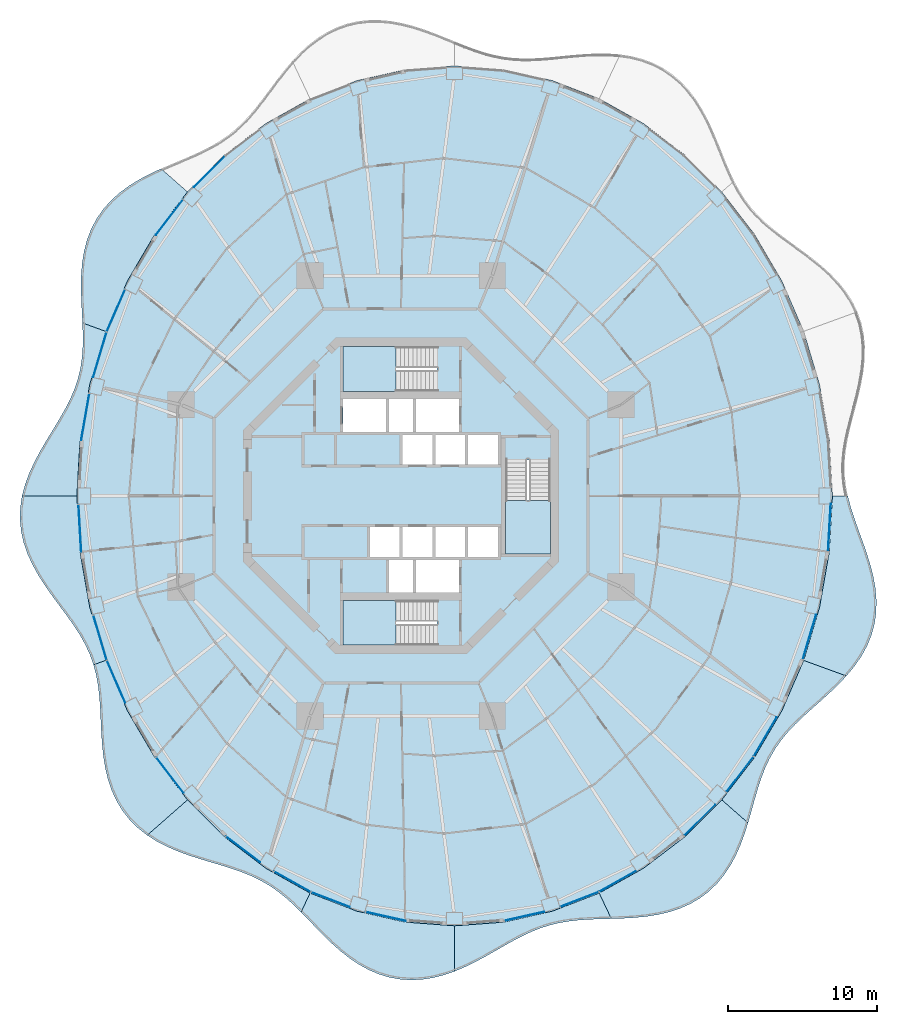
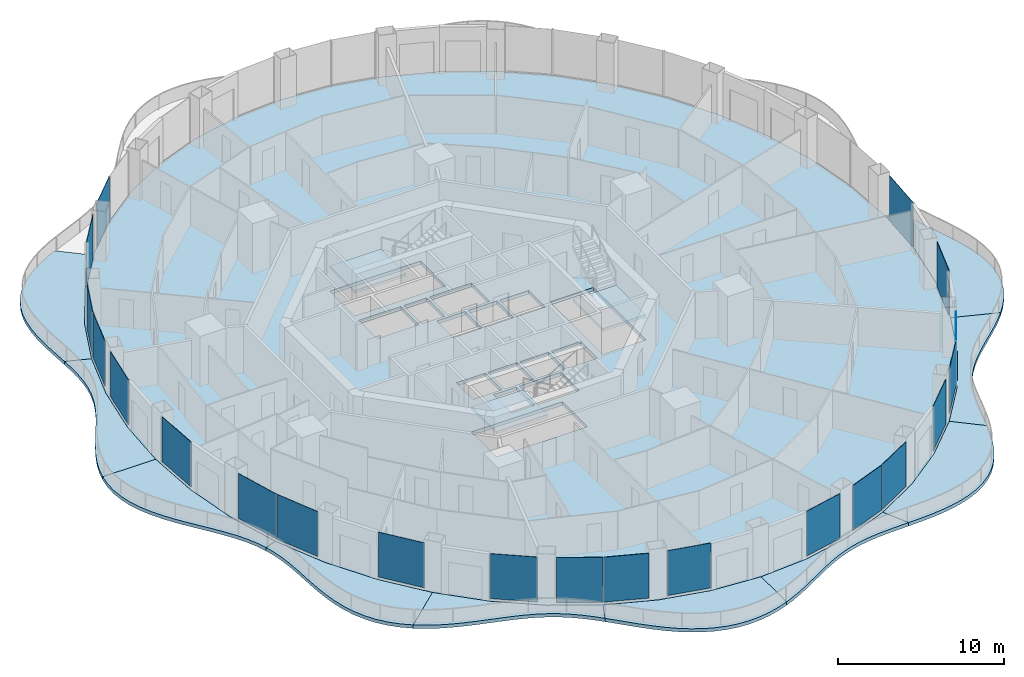
# One storey, part 9 of 19: 21 plates, 14 slabs, 24 elements without a shape of their own.
"""IFC4 building model written with IfcOpenShell, lengths in metres."""

from ifc_helpers import new_model, si_unit, direction, frame, origin, origin_2d, place, context, subcontext, project, spatial, polyline, rectangle, outline, extrude, material, layer, layer_set, type_object, element, aggregate, save


model = new_model("IFC4")

# Units and contexts
model_context = context("Model", 3, precision=1e-05, world=origin(), true_north=direction((0.0, 1.0)))
body_context = subcontext(model_context, "Body", "Model", "MODEL_VIEW")
ifc_project = project(units=[si_unit("LENGTHUNIT", "METRE"), si_unit("AREAUNIT", "SQUARE_METRE"), si_unit("VOLUMEUNIT", "CUBIC_METRE"), si_unit("PLANEANGLEUNIT", "RADIAN"), si_unit("MASSUNIT", "GRAM", prefix="KILO")], contexts=[model_context])

# Site, building, storey
site_placement = place(None, origin())
site = spatial("IfcSite", under=ifc_project, at=site_placement, CompositionType="ELEMENT")
building_placement = place(site_placement, origin())
building = spatial("IfcBuilding", under=site, at=building_placement, Name="Nagisa Residences", CompositionType="ELEMENT")
storey_placement = place(building_placement, frame((0.0, 0.0, 173.300048828125)))
storey = spatial("IfcBuildingStorey", under=building, at=storey_placement, Name="L43", CompositionType="ELEMENT", Elevation=173.300048828125)

# Slabs
ifc_material_1 = material(Name="Concrete C40/50", Category="concrete")
ifc_layer_1 = layer(ifc_material_1, 0.25)
ifc_layer_set_1 = layer_set([ifc_layer_1], Name="BALCONY SLAB 250")
slab_type_1 = type_object("IfcSlabType", Name="BALCONY SLAB 250", PredefinedType="FLOOR", material=ifc_layer_set_1)
slab_1_placement = place(storey_placement, frame((0.0, 0.0, -0.25)))
element("IfcSlab", 1, at=slab_1_placement, inside=storey, type_object=slab_type_1, Name="slab:L43:bal06", PredefinedType="FLOOR", context=body_context, shape_type="SweptSolid", body=[
    extrude(outline(polyline([(-16.11572265625, 21.975830078125), (-16.8564453125, 21.628662109375), (-17.5791015625, 21.246337890625), (-18.26953125, 20.8203125), (-18.913818359375, 20.344482421875), (-19.499267578125, 19.815185546875), (-20.015380859375, 19.2314453125), (-20.455078125, 18.59521484375), (-20.8134765625, 17.91015625), (-21.09033203125, 17.182373046875), (-21.288330078125, 16.420166015625), (-21.414306640625, 15.631591796875), (-21.47802734375, 14.82666015625), (-21.4921875, 14.014404296875), (-21.471923828125, 13.203369140625), (-21.43310546875, 12.401123046875), (-21.392333984375, 11.61376953125), (-19.843505859375, 11.050048828125), (-18.37548828125, 14.4375), (-16.53125, 17.577880859375), (-14.3427734375, 20.417724609375), (-16.11572265625, 21.975830078125)])), origin(), (0.0, 0.0, 1.0), 0.25),
])
slab_2_placement = place(storey_placement, frame((0.0, 0.0, -0.25)))
element("IfcSlab", 2, at=slab_2_placement, inside=storey, type_object=slab_type_1, Name="slab:L43:bal07", PredefinedType="FLOOR", context=body_context, shape_type="SweptSolid", body=[
    extrude(outline(polyline([(-21.392333984375, 11.61376953125), (-21.36572265625, 10.82177734375), (-21.370361328125, 10.052734375), (-21.420166015625, 9.3076171875), (-21.525390625, 8.58447265625), (-21.6923828125, 7.88037109375), (-21.923095703125, 7.1904296875), (-22.215087890625, 6.509033203125), (-22.560791015625, 5.830322265625), (-22.949462890625, 5.1484375), (-23.36669921875, 4.4580078125), (-23.794921875, 3.754638671875), (-24.215576171875, 3.03564453125), (-24.609375, 2.299560546875), (-24.957275390625, 1.546875), (-25.2421875, 0.779052734375), (-25.449462890625, 0.0), (-21.77490234375, 0.0), (-21.557861328125, 3.76904296875), (-20.910400390625, 7.473388671875), (-19.843505859375, 11.050048828125), (-21.392333984375, 11.61376953125)])), origin(), (0.0, 0.0, 1.0), 0.25),
])
slab_3_placement = place(storey_placement, frame((0.0, 0.0, -0.25)))
element("IfcSlab", 3, at=slab_3_placement, inside=storey, type_object=slab_type_1, Name="slab:L43:bal08", PredefinedType="FLOOR", context=body_context, shape_type="SweptSolid", body=[
    extrude(outline(polyline([(-25.449462890625, 0.0), (-25.568115234375, -0.7861328125), (-25.5908203125, -1.573974609375), (-25.515625, -2.35791015625), (-25.343994140625, -3.1328125), (-25.0830078125, -3.8935546875), (-24.743408203125, -4.636474609375), (-24.339111328125, -5.359375), (-23.88720703125, -6.061279296875), (-23.406494140625, -6.7431640625), (-22.915771484375, -7.408203125), (-22.433837890625, -8.06005859375), (-21.97802734375, -8.704833984375), (-21.5625, -9.3486328125), (-21.198486328125, -9.998779296875), (-20.8935546875, -10.661865234375), (-20.650146484375, -11.34375), (-19.843505859375, -11.050048828125), (-20.910400390625, -7.473388671875), (-21.557861328125, -3.76904296875), (-21.77490234375, 0.0), (-25.449462890625, 0.0)])), origin(), (0.0, 0.0, 1.0), 0.25),
])
slab_4_placement = place(storey_placement, frame((0.0, 0.0, -0.25)))
element("IfcSlab", 4, at=slab_4_placement, inside=storey, type_object=slab_type_1, Name="slab:L43:bal09", PredefinedType="FLOOR", context=body_context, shape_type="SweptSolid", body=[
    extrude(outline(polyline([(-20.650146484375, -11.34375), (-20.471923828125, -12.027099609375), (-20.344482421875, -12.73583984375), (-20.259765625, -13.470947265625), (-20.205322265625, -14.231201171875), (-20.167724609375, -15.013671875), (-20.131103515625, -15.813232421875), (-20.079833984375, -16.62255859375), (-19.997802734375, -17.43310546875), (-19.87060546875, -18.235107421875), (-19.685791015625, -19.017578125), (-19.43359375, -19.770263671875), (-19.107177734375, -20.4833984375), (-18.703125, -21.14794921875), (-18.221923828125, -21.75732421875), (-17.66748046875, -22.306396484375), (-17.04638671875, -22.793701171875), (-14.3427734375, -20.417724609375), (-16.53125, -17.577880859375), (-18.37548828125, -14.4375), (-19.843505859375, -11.050048828125), (-20.650146484375, -11.34375)])), origin(), (0.0, 0.0, 1.0), 0.25),
])
slab_5_placement = place(storey_placement, frame((0.0, 0.0, -0.25)))
element("IfcSlab", 5, at=slab_5_placement, inside=storey, type_object=slab_type_1, Name="slab:L43:bal10", PredefinedType="FLOOR", context=body_context, shape_type="SweptSolid", body=[
    extrude(outline(polyline([(-17.04638671875, -22.793701171875), (-16.401611328125, -23.201171875), (-15.71533203125, -23.556396484375), (-14.9990234375, -23.864990234375), (-14.26416015625, -24.134765625), (-13.5224609375, -24.375244140625), (-12.78515625, -24.597412109375), (-12.0615234375, -24.8125), (-11.359375, -25.03271484375), (-10.6845703125, -25.26904296875), (-10.040283203125, -25.53173828125), (-9.42724609375, -25.8291015625), (-8.844482421875, -26.167724609375), (-8.287841796875, -26.550537109375), (-7.751708984375, -26.978515625), (-7.2294921875, -27.44873046875), (-6.71337890625, -27.955810546875), (-6.110595703125, -26.677001953125), (-9.08740234375, -25.006591796875), (-11.847412109375, -22.907958984375), (-14.3427734375, -20.417724609375), (-17.04638671875, -22.793701171875)])), origin(), (0.0, 0.0, 1.0), 0.25),
])
slab_6_placement = place(storey_placement, frame((0.0, 0.0, -0.25)))
element("IfcSlab", 6, at=slab_6_placement, inside=storey, type_object=slab_type_1, Name="slab:L43:bal11", PredefinedType="FLOOR", context=body_context, shape_type="SweptSolid", body=[
    extrude(outline(polyline([(-6.71337890625, -27.955810546875), (-6.2138671875, -28.47119140625), (-5.704833984375, -29.0029296875), (-5.18017578125, -29.539306640625), (-4.63427734375, -30.067138671875), (-4.0625, -30.5732421875), (-3.462890625, -31.0439453125), (-2.833740234375, -31.466064453125), (-2.176513671875, -31.827880859375), (-1.4931640625, -32.119873046875), (-0.78759765625, -32.333984375), (-0.064697265625, -32.4658203125), (0.66943359375, -32.51318359375), (1.408935546875, -32.477783203125), (2.1474609375, -32.36328125), (2.879638671875, -32.17724609375), (3.60009765625, -31.92919921875), (3.60009765625, -28.875), (0.287841796875, -28.6279296875), (-2.967529296875, -27.89111328125), (-6.110595703125, -26.677001953125), (-6.71337890625, -27.955810546875)])), origin(), (0.0, 0.0, 1.0), 0.25),
])
slab_7_placement = place(storey_placement, frame((0.0, 0.0, -0.25)))
element("IfcSlab", 7, at=slab_7_placement, inside=storey, type_object=slab_type_1, Name="slab:L43:bal12", PredefinedType="FLOOR", context=body_context, shape_type="SweptSolid", body=[
    extrude(outline(polyline([(3.60009765625, -31.92919921875), (4.304931640625, -31.630615234375), (4.9921875, -31.294921875), (5.66064453125, -30.93603515625), (6.31103515625, -30.56787109375), (6.9453125, -30.204345703125), (7.56689453125, -29.857666015625), (8.180419921875, -29.538818359375), (8.791259765625, -29.256103515625), (9.404541015625, -29.015380859375), (10.02587890625, -28.819580078125), (10.660400390625, -28.668701171875), (11.31201171875, -28.5595703125), (11.983642578125, -28.487060546875), (12.67626953125, -28.442626953125), (13.3896484375, -28.41650390625), (14.12158203125, -28.3974609375), (13.310546875, -26.677001953125), (10.16748046875, -27.89111328125), (6.912109375, -28.6279296875), (3.60009765625, -28.875), (3.60009765625, -31.92919921875)])), origin(), (0.0, 0.0, 1.0), 0.25),
])
slab_8_placement = place(storey_placement, frame((0.0, 0.0, -0.25)))
element("IfcSlab", 8, at=slab_8_placement, inside=storey, type_object=slab_type_1, Name="slab:L43:bal13", PredefinedType="FLOOR", context=body_context, shape_type="SweptSolid", body=[
    extrude(outline(polyline([(14.12158203125, -28.3974609375), (14.89599609375, -28.371826171875), (15.679443359375, -28.326904296875), (16.464111328125, -28.249267578125), (17.240966796875, -28.126708984375), (18.0, -27.94873046875), (18.731689453125, -27.70751953125), (19.42626953125, -27.3974609375), (20.075439453125, -27.016357421875), (20.672607421875, -26.564453125), (21.212646484375, -26.044921875), (21.693359375, -25.4638671875), (22.11474609375, -24.828857421875), (22.479736328125, -24.150146484375), (22.79345703125, -23.4384765625), (23.063720703125, -22.705322265625), (23.30029296875, -21.962158203125), (21.542724609375, -20.417724609375), (19.04736328125, -22.907958984375), (16.28759765625, -25.006591796875), (13.310546875, -26.677001953125), (14.12158203125, -28.3974609375)])), origin(), (0.0, 0.0, 1.0), 0.25),
])
slab_9_placement = place(storey_placement, frame((0.0, 0.0, -0.25)))
element("IfcSlab", 9, at=slab_9_placement, inside=storey, type_object=slab_type_1, Name="slab:L43:bal14", PredefinedType="FLOOR", context=body_context, shape_type="SweptSolid", body=[
    extrude(outline(polyline([(23.30029296875, -21.962158203125), (23.5244140625, -21.183837890625), (23.7373046875, -20.418212890625), (23.953857421875, -19.67431640625), (24.18701171875, -18.959716796875), (24.44970703125, -18.278564453125), (24.752197265625, -17.6328125), (25.101318359375, -17.021728515625), (25.501953125, -16.442138671875), (25.954345703125, -15.888427734375), (26.455322265625, -15.35400390625), (26.998291015625, -14.83056640625), (27.573486328125, -14.309814453125), (28.167724609375, -13.782958984375), (28.76611328125, -13.242431640625), (29.352783203125, -12.68115234375), (29.910888671875, -12.09375), (27.04345703125, -11.050048828125), (25.575439453125, -14.4375), (23.7314453125, -17.577880859375), (21.542724609375, -20.417724609375), (23.30029296875, -21.962158203125)])), origin(), (0.0, 0.0, 1.0), 0.25),
])
slab_10_placement = place(storey_placement, frame((0.0, 0.0, -0.25)))
element("IfcSlab", 10, at=slab_10_placement, inside=storey, type_object=slab_type_1, Name="slab:L43:bal15", PredefinedType="FLOOR", context=body_context, shape_type="SweptSolid", body=[
    extrude(outline(polyline([(29.910888671875, -12.09375), (30.43994140625, -11.45654296875), (30.905029296875, -10.785888671875), (31.29248046875, -10.081787109375), (31.59228515625, -9.3466796875), (31.7978515625, -8.584716796875), (31.9072265625, -7.801025390625), (31.923095703125, -7.001953125), (31.852783203125, -6.194580078125), (31.70703125, -5.384765625), (31.50048828125, -4.5791015625), (31.250244140625, -3.7822265625), (30.975341796875, -2.997802734375), (30.69482421875, -2.227783203125), (30.427978515625, -1.47265625), (30.191650390625, -0.73095703125), (30.00048828125, 0.0), (28.97509765625, 0.0), (28.7578125, -3.76904296875), (28.1103515625, -7.473388671875), (27.04345703125, -11.050048828125), (29.910888671875, -12.09375)])), origin(), (0.0, 0.0, 1.0), 0.25),
])

# Curtain wall, plate
ifc_material_2 = material(Name="Concrete-coloured aluminium curtain wall system", Category="concrete")
ifc_layer_2 = layer(ifc_material_2, 0.159912109375)
ifc_layer_set_2 = layer_set([ifc_layer_2], Name="CW1 CURTAIN WALL")
curtain_wall_type = type_object("IfcCurtainWallType", Name="CW1 CURTAIN WALL", PredefinedType="NOTDEFINED", material=ifc_layer_set_2)
curtain_wall_1_placement = place(storey_placement, origin())
curtain_wall_1 = element("IfcCurtainWall", 11, at=curtain_wall_1_placement, inside=storey, type_object=curtain_wall_type, Name="cw:CW1:L43:17", PredefinedType="NOTDEFINED")
ifc_material_3 = material(Name="Clear laminated glass", Category="glass")
ifc_layer_3 = layer(ifc_material_3, 0.028076171875)
ifc_layer_set_3 = layer_set([ifc_layer_3], Name="CW1 GLASS PANEL")
plate_type = type_object("IfcPlateType", Name="CW1 GLASS PANEL", PredefinedType="CURTAIN_PANEL", material=ifc_layer_set_3)
plate_1_placement = place(storey_placement, frame((-12.865234375, 21.779296875, 0.14990234375), z_axis=(0.0, 0.0, 1.0), x_axis=(-0.707835924016, -0.706376885714, 0.0)))
plate_1 = element("IfcPlate", 12, at=plate_1_placement, type_object=plate_type, Name="CW1 panel", PredefinedType="CURTAIN_PANEL", context=body_context, shape_type="SweptSolid", body=[
    extrude(rectangle(XDim=2.91552734375, YDim=0.028076171875, at=origin_2d()), origin(), (0.0, 0.0, 1.0), 3.2900390625),
])
aggregate(curtain_wall_1, [plate_1])

curtain_wall_2_placement = place(storey_placement, origin())
curtain_wall_2 = element("IfcCurtainWall", 13, at=curtain_wall_2_placement, inside=storey, type_object=curtain_wall_type, Name="cw:CW1:L43:18", PredefinedType="NOTDEFINED")
plate_2_placement = place(storey_placement, frame((-15.559814453125, 18.70751953125, 0.14990234375), z_axis=(0.0, 0.0, 1.0), x_axis=(-0.610429828235, -0.792070340816, 0.0)))
plate_2 = element("IfcPlate", 14, at=plate_2_placement, type_object=plate_type, Name="CW1 panel", PredefinedType="CURTAIN_PANEL", context=body_context, shape_type="SweptSolid", body=[
    extrude(rectangle(XDim=2.97509765625, YDim=0.028076171875, at=origin_2d()), origin(), (0.0, 0.0, 1.0), 3.2900390625),
])
aggregate(curtain_wall_2, [plate_2])

curtain_wall_3_placement = place(storey_placement, origin())
curtain_wall_3 = element("IfcCurtainWall", 15, at=curtain_wall_3_placement, inside=storey, type_object=curtain_wall_type, Name="cw:CW1:L43:20", PredefinedType="NOTDEFINED")
plate_3_placement = place(storey_placement, frame((-19.1572265625, 12.43212890625, 0.14990234375), z_axis=(0.0, 0.0, 1.0), x_axis=(-0.397635934147, -0.917543276295, 0.0)))
plate_3 = element("IfcPlate", 16, at=plate_3_placement, type_object=plate_type, Name="CW1 panel", PredefinedType="CURTAIN_PANEL", context=body_context, shape_type="SweptSolid", body=[
    extrude(rectangle(XDim=3.08203125, YDim=0.028076171875, at=origin_2d()), origin(), (0.0, 0.0, 1.0), 3.2900390625),
])
aggregate(curtain_wall_3, [plate_3])

curtain_wall_4_placement = place(storey_placement, origin())
curtain_wall_4 = element("IfcCurtainWall", 17, at=curtain_wall_4_placement, inside=storey, type_object=curtain_wall_type, Name="cw:CW1:L43:21", PredefinedType="NOTDEFINED")
plate_4_placement = place(storey_placement, frame((-20.230224609375, 9.4736328125, 0.14990234375), z_axis=(0.0, 0.0, 1.0), x_axis=(-0.285860274038, -0.958271310082, 0.0)))
plate_4 = element("IfcPlate", 18, at=plate_4_placement, type_object=plate_type, Name="CW1 panel", PredefinedType="CURTAIN_PANEL", context=body_context, shape_type="SweptSolid", body=[
    extrude(rectangle(XDim=3.122314453125, YDim=0.028076171875, at=origin_2d()), origin(), (0.0, 0.0, 1.0), 3.2900390625),
])
aggregate(curtain_wall_4, [plate_4])

curtain_wall_5_placement = place(storey_placement, origin())
curtain_wall_5 = element("IfcCurtainWall", 19, at=curtain_wall_5_placement, inside=storey, type_object=curtain_wall_type, Name="cw:CW1:L43:22", PredefinedType="NOTDEFINED")
plate_5_placement = place(storey_placement, frame((-21.207763671875, 5.306884765625, 0.14990234375), z_axis=(0.0, 0.0, 1.0), x_axis=(-0.172190868898, -0.985063604377, 0.0)))
plate_5 = element("IfcPlate", 20, at=plate_5_placement, type_object=plate_type, Name="CW1 panel", PredefinedType="CURTAIN_PANEL", context=body_context, shape_type="SweptSolid", body=[
    extrude(rectangle(XDim=3.150634765625, YDim=0.028076171875, at=origin_2d()), origin(), (0.0, 0.0, 1.0), 3.2900390625),
])
aggregate(curtain_wall_5, [plate_5])

curtain_wall_6_placement = place(storey_placement, origin())
curtain_wall_6 = element("IfcCurtainWall", 21, at=curtain_wall_6_placement, inside=storey, type_object=curtain_wall_type, Name="cw:CW1:L43:24", PredefinedType="NOTDEFINED")
plate_6_placement = place(storey_placement, frame((-21.569091796875, -2.184326171875, 0.14990234375), z_axis=(0.0, 0.0, 1.0), x_axis=(0.057503492216, -0.998345305184, 0.0)))
plate_6 = element("IfcPlate", 22, at=plate_6_placement, type_object=plate_type, Name="CW1 panel", PredefinedType="CURTAIN_PANEL", context=body_context, shape_type="SweptSolid", body=[
    extrude(rectangle(XDim=3.165283203125, YDim=0.028076171875, at=origin_2d()), origin(), (0.0, 0.0, 1.0), 3.2900390625),
])
aggregate(curtain_wall_6, [plate_6])

curtain_wall_7_placement = place(storey_placement, origin())
curtain_wall_7 = element("IfcCurtainWall", 23, at=curtain_wall_7_placement, inside=storey, type_object=curtain_wall_type, Name="cw:CW1:L43:26", PredefinedType="NOTDEFINED")
plate_7_placement = place(storey_placement, frame((-20.213134765625, -9.531005859375, 0.14990234375), z_axis=(0.0, 0.0, 1.0), x_axis=(0.285860274038, -0.958271310082, 0.0)))
plate_7 = element("IfcPlate", 24, at=plate_7_placement, type_object=plate_type, Name="CW1 panel", PredefinedType="CURTAIN_PANEL", context=body_context, shape_type="SweptSolid", body=[
    extrude(rectangle(XDim=3.122314453125, YDim=0.028076171875, at=origin_2d()), origin(), (0.0, 0.0, 1.0), 3.2900390625),
])
aggregate(curtain_wall_7, [plate_7])

curtain_wall_8_placement = place(storey_placement, origin())
curtain_wall_8 = element("IfcCurtainWall", 25, at=curtain_wall_8_placement, inside=storey, type_object=curtain_wall_type, Name="cw:CW1:L43:27", PredefinedType="NOTDEFINED")
plate_8_placement = place(storey_placement, frame((-19.133544921875, -12.487060546875, 0.14990234375), z_axis=(0.0, 0.0, 1.0), x_axis=(0.397635934147, -0.917543276295, 0.0)))
plate_8 = element("IfcPlate", 26, at=plate_8_placement, type_object=plate_type, Name="CW1 panel", PredefinedType="CURTAIN_PANEL", context=body_context, shape_type="SweptSolid", body=[
    extrude(rectangle(XDim=3.08203125, YDim=0.028076171875, at=origin_2d()), origin(), (0.0, 0.0, 1.0), 3.2900390625),
])
aggregate(curtain_wall_8, [plate_8])

curtain_wall_9_placement = place(storey_placement, origin())
curtain_wall_9 = element("IfcCurtainWall", 27, at=curtain_wall_9_placement, inside=storey, type_object=curtain_wall_type, Name="cw:CW1:L43:29", PredefinedType="NOTDEFINED")
plate_9_placement = place(storey_placement, frame((-15.523193359375, -18.7548828125, 0.14990234375), z_axis=(0.0, 0.0, 1.0), x_axis=(0.610429828235, -0.792070340816, 0.0)))
plate_9 = element("IfcPlate", 28, at=plate_9_placement, type_object=plate_type, Name="CW1 panel", PredefinedType="CURTAIN_PANEL", context=body_context, shape_type="SweptSolid", body=[
    extrude(rectangle(XDim=2.97509765625, YDim=0.028076171875, at=origin_2d()), origin(), (0.0, 0.0, 1.0), 3.2900390625),
])
aggregate(curtain_wall_9, [plate_9])

curtain_wall_10_placement = place(storey_placement, origin())
curtain_wall_10 = element("IfcCurtainWall", 29, at=curtain_wall_10_placement, inside=storey, type_object=curtain_wall_type, Name="cw:CW1:L43:31", PredefinedType="NOTDEFINED")
plate_10_placement = place(storey_placement, frame((-10.614013671875, -23.745361328125, 0.14990234375), z_axis=(0.0, 0.0, 1.0), x_axis=(0.79603132756, -0.605255421737, 0.0)))
plate_10 = element("IfcPlate", 30, at=plate_10_placement, type_object=plate_type, Name="CW1 panel", PredefinedType="CURTAIN_PANEL", context=body_context, shape_type="SweptSolid", body=[
    extrude(rectangle(XDim=2.85693359375, YDim=0.028076171875, at=origin_2d()), origin(), (0.0, 0.0, 1.0), 3.2900390625),
])
aggregate(curtain_wall_10, [plate_10])

curtain_wall_11_placement = place(storey_placement, origin())
curtain_wall_11 = element("IfcCurtainWall", 31, at=curtain_wall_11_placement, inside=storey, type_object=curtain_wall_type, Name="cw:CW1:L43:32", PredefinedType="NOTDEFINED")
plate_11_placement = place(storey_placement, frame((-7.2939453125, -25.921142578125, 0.14990234375), z_axis=(0.0, 0.0, 1.0), x_axis=(0.872072377523, -0.489376918501, 0.0)))
plate_11 = element("IfcPlate", 32, at=plate_11_placement, type_object=plate_type, Name="CW1 panel", PredefinedType="CURTAIN_PANEL", context=body_context, shape_type="SweptSolid", body=[
    extrude(rectangle(XDim=2.8037109375, YDim=0.028076171875, at=origin_2d()), origin(), (0.0, 0.0, 1.0), 3.2900390625),
])
aggregate(curtain_wall_11, [plate_11])

curtain_wall_12_placement = place(storey_placement, origin())
curtain_wall_12 = element("IfcCurtainWall", 33, at=curtain_wall_12_placement, inside=storey, type_object=curtain_wall_type, Name="cw:CW1:L43:33", PredefinedType="NOTDEFINED")
plate_12_placement = place(storey_placement, frame((-4.73876953125, -27.12109375, 0.14990234375), z_axis=(0.0, 0.0, 1.0), x_axis=(0.932825759707, -0.360327770268, 0.0)))
plate_12 = element("IfcPlate", 34, at=plate_12_placement, type_object=plate_type, Name="CW1 panel", PredefinedType="CURTAIN_PANEL", context=body_context, shape_type="SweptSolid", body=[
    extrude(rectangle(XDim=2.75927734375, YDim=0.028076171875, at=origin_2d()), origin(), (0.0, 0.0, 1.0), 3.2900390625),
])
aggregate(curtain_wall_12, [plate_12])

curtain_wall_13_placement = place(storey_placement, origin())
curtain_wall_13 = element("IfcCurtainWall", 35, at=curtain_wall_13_placement, inside=storey, type_object=curtain_wall_type, Name="cw:CW1:L43:34", PredefinedType="NOTDEFINED")
plate_13_placement = place(storey_placement, frame((-1.024658203125, -28.248779296875, 0.14990234375), z_axis=(0.0, 0.0, 1.0), x_axis=(0.975327274089, -0.2207639201, 0.0)))
plate_13 = element("IfcPlate", 36, at=plate_13_placement, type_object=plate_type, Name="CW1 panel", PredefinedType="CURTAIN_PANEL", context=body_context, shape_type="SweptSolid", body=[
    extrude(rectangle(XDim=2.727783203125, YDim=0.028076171875, at=origin_2d()), origin(), (0.0, 0.0, 1.0), 3.2900390625),
])
aggregate(curtain_wall_13, [plate_13])

curtain_wall_14_placement = place(storey_placement, origin())
curtain_wall_14 = element("IfcCurtainWall", 37, at=curtain_wall_14_placement, inside=storey, type_object=curtain_wall_type, Name="cw:CW1:L43:37", PredefinedType="NOTDEFINED")
plate_14_placement = place(storey_placement, frame((8.283203125, -28.235595703125, 0.14990234375), z_axis=(0.0, 0.0, 1.0), x_axis=(0.975327274089, 0.2207639201, 0.0)))
plate_14 = element("IfcPlate", 38, at=plate_14_placement, type_object=plate_type, Name="CW1 panel", PredefinedType="CURTAIN_PANEL", context=body_context, shape_type="SweptSolid", body=[
    extrude(rectangle(XDim=2.727783203125, YDim=0.028076171875, at=origin_2d()), origin(), (0.0, 0.0, 1.0), 3.2900390625),
])
aggregate(curtain_wall_14, [plate_14])

curtain_wall_15_placement = place(storey_placement, origin())
curtain_wall_15 = element("IfcCurtainWall", 39, at=curtain_wall_15_placement, inside=storey, type_object=curtain_wall_type, Name="cw:CW1:L43:38", PredefinedType="NOTDEFINED")
plate_15_placement = place(storey_placement, frame((11.99462890625, -27.099609375, 0.14990234375), z_axis=(0.0, 0.0, 1.0), x_axis=(0.932825759707, 0.360327770268, 0.0)))
plate_15 = element("IfcPlate", 40, at=plate_15_placement, type_object=plate_type, Name="CW1 panel", PredefinedType="CURTAIN_PANEL", context=body_context, shape_type="SweptSolid", body=[
    extrude(rectangle(XDim=2.75927734375, YDim=0.028076171875, at=origin_2d()), origin(), (0.0, 0.0, 1.0), 3.2900390625),
])
aggregate(curtain_wall_15, [plate_15])

curtain_wall_16_placement = place(storey_placement, origin())
curtain_wall_16 = element("IfcCurtainWall", 41, at=curtain_wall_16_placement, inside=storey, type_object=curtain_wall_type, Name="cw:CW1:L43:39", PredefinedType="NOTDEFINED")
plate_16_placement = place(storey_placement, frame((14.546142578125, -25.891845703125, 0.14990234375), z_axis=(0.0, 0.0, 1.0), x_axis=(0.872072377523, 0.489376918501, 0.0)))
plate_16 = element("IfcPlate", 42, at=plate_16_placement, type_object=plate_type, Name="CW1 panel", PredefinedType="CURTAIN_PANEL", context=body_context, shape_type="SweptSolid", body=[
    extrude(rectangle(XDim=2.8037109375, YDim=0.028076171875, at=origin_2d()), origin(), (0.0, 0.0, 1.0), 3.2900390625),
])
aggregate(curtain_wall_16, [plate_16])

curtain_wall_17_placement = place(storey_placement, origin())
curtain_wall_17 = element("IfcCurtainWall", 43, at=curtain_wall_17_placement, inside=storey, type_object=curtain_wall_type, Name="cw:CW1:L43:41", PredefinedType="NOTDEFINED")
plate_17_placement = place(storey_placement, frame((20.065185546875, -21.779296875, 0.14990234375), z_axis=(0.0, 0.0, 1.0), x_axis=(0.707835924016, 0.706376885714, 0.0)))
plate_17 = element("IfcPlate", 44, at=plate_17_placement, type_object=plate_type, Name="CW1 panel", PredefinedType="CURTAIN_PANEL", context=body_context, shape_type="SweptSolid", body=[
    extrude(rectangle(XDim=2.91552734375, YDim=0.028076171875, at=origin_2d()), origin(), (0.0, 0.0, 1.0), 3.2900390625),
])
aggregate(curtain_wall_17, [plate_17])

curtain_wall_18_placement = place(storey_placement, origin())
curtain_wall_18 = element("IfcCurtainWall", 45, at=curtain_wall_18_placement, inside=storey, type_object=curtain_wall_type, Name="cw:CW1:L43:42", PredefinedType="NOTDEFINED")
plate_18_placement = place(storey_placement, frame((22.760009765625, -18.70751953125, 0.14990234375), z_axis=(0.0, 0.0, 1.0), x_axis=(0.610429828235, 0.792070340816, 0.0)))
plate_18 = element("IfcPlate", 46, at=plate_18_placement, type_object=plate_type, Name="CW1 panel", PredefinedType="CURTAIN_PANEL", context=body_context, shape_type="SweptSolid", body=[
    extrude(rectangle(XDim=2.97509765625, YDim=0.028076171875, at=origin_2d()), origin(), (0.0, 0.0, 1.0), 3.2900390625),
])
aggregate(curtain_wall_18, [plate_18])

curtain_wall_19_placement = place(storey_placement, origin())
curtain_wall_19 = element("IfcCurtainWall", 47, at=curtain_wall_19_placement, inside=storey, type_object=curtain_wall_type, Name="cw:CW1:L43:43", PredefinedType="NOTDEFINED")
plate_19_placement = place(storey_placement, frame((24.460205078125, -16.178466796875, 0.14990234375), z_axis=(0.0, 0.0, 1.0), x_axis=(0.506348567002, 0.862328898214, 0.0)))
plate_19 = element("IfcPlate", 48, at=plate_19_placement, type_object=plate_type, Name="CW1 panel", PredefinedType="CURTAIN_PANEL", context=body_context, shape_type="SweptSolid", body=[
    extrude(rectangle(XDim=3.031982421875, YDim=0.028076171875, at=origin_2d()), origin(), (0.0, 0.0, 1.0), 3.2900390625),
])
aggregate(curtain_wall_19, [plate_19])

curtain_wall_20_placement = place(storey_placement, origin())
curtain_wall_20 = element("IfcCurtainWall", 49, at=curtain_wall_20_placement, inside=storey, type_object=curtain_wall_type, Name="cw:CW1:L43:45", PredefinedType="NOTDEFINED")
plate_20_placement = place(storey_placement, frame((27.43017578125, -9.4736328125, 0.14990234375), z_axis=(0.0, 0.0, 1.0), x_axis=(0.285860274038, 0.958271310082, 0.0)))
plate_20 = element("IfcPlate", 50, at=plate_20_placement, type_object=plate_type, Name="CW1 panel", PredefinedType="CURTAIN_PANEL", context=body_context, shape_type="SweptSolid", body=[
    extrude(rectangle(XDim=3.122314453125, YDim=0.028076171875, at=origin_2d()), origin(), (0.0, 0.0, 1.0), 3.2900390625),
])
aggregate(curtain_wall_20, [plate_20])

curtain_wall_21_placement = place(storey_placement, origin())
curtain_wall_21 = element("IfcCurtainWall", 51, at=curtain_wall_21_placement, inside=storey, type_object=curtain_wall_type, Name="cw:CW1:L43:47", PredefinedType="NOTDEFINED")
plate_21_placement = place(storey_placement, frame((28.7724609375, -2.12451171875, 0.14990234375), z_axis=(0.0, 0.0, 1.0), x_axis=(0.057503492216, 0.998345305184, 0.0)))
plate_21 = element("IfcPlate", 52, at=plate_21_placement, type_object=plate_type, Name="CW1 panel", PredefinedType="CURTAIN_PANEL", context=body_context, shape_type="SweptSolid", body=[
    extrude(rectangle(XDim=3.165283203125, YDim=0.028076171875, at=origin_2d()), origin(), (0.0, 0.0, 1.0), 3.2900390625),
])
aggregate(curtain_wall_21, [plate_21])

# Slab
ifc_material_4 = material(Name="Concrete C40", Category="concrete")
ifc_layer_4 = layer(ifc_material_4, 0.260009765625)
ifc_layer_set_4 = layer_set([ifc_layer_4], Name="Floor slab 260")
slab_type_2 = type_object("IfcSlabType", Name="Floor slab 260", PredefinedType="FLOOR", material=ifc_layer_set_4)
slab_11_placement = place(storey_placement, frame((0.0, 0.0, -0.260009765625)))
element("IfcSlab", 53, at=slab_11_placement, inside=storey, type_object=slab_type_2, Name="slab:L43:floor", PredefinedType="FLOOR", context=body_context, shape_type="SweptSolid", body=[
    extrude(outline(polyline([(28.97509765625, 0.0), (28.7578125, 3.76904296875), (28.1103515625, 7.473388671875), (27.04345703125, 11.050048828125), (25.575439453125, 14.4375), (23.7314453125, 17.577880859375), (21.542724609375, 20.417724609375), (19.04736328125, 22.907958984375), (16.28759765625, 25.006591796875), (13.310546875, 26.677001953125), (10.16748046875, 27.89111328125), (6.912109375, 28.6279296875), (3.60009765625, 28.875), (0.287841796875, 28.6279296875), (-2.967529296875, 27.89111328125), (-6.110595703125, 26.677001953125), (-9.08740234375, 25.006591796875), (-11.847412109375, 22.907958984375), (-14.3427734375, 20.417724609375), (-16.53125, 17.577880859375), (-18.37548828125, 14.4375), (-19.843505859375, 11.050048828125), (-20.910400390625, 7.473388671875), (-21.557861328125, 3.76904296875), (-21.77490234375, 0.0), (-21.557861328125, -3.76904296875), (-20.910400390625, -7.473388671875), (-19.843505859375, -11.050048828125), (-18.37548828125, -14.4375), (-16.53125, -17.577880859375), (-14.3427734375, -20.417724609375), (-11.847412109375, -22.907958984375), (-9.08740234375, -25.006591796875), (-6.110595703125, -26.677001953125), (-2.967529296875, -27.89111328125), (0.287841796875, -28.6279296875), (3.60009765625, -28.875), (6.912109375, -28.6279296875), (10.16748046875, -27.89111328125), (13.310546875, -26.677001953125), (16.28759765625, -25.006591796875), (19.04736328125, -22.907958984375), (21.542724609375, -20.417724609375), (23.7314453125, -17.577880859375), (25.575439453125, -14.4375), (27.04345703125, -11.050048828125), (28.1103515625, -7.473388671875), (28.7578125, -3.76904296875), (28.97509765625, 0.0)]), holes=[polyline([(2.10009765625, 2.10009765625), (2.10009765625, 4.10009765625), (0.10009765625, 4.10009765625), (0.10009765625, 2.10009765625), (2.10009765625, 2.10009765625)]), polyline([(4.300048828125, 2.10009765625), (4.300048828125, 4.10009765625), (2.300048828125, 4.10009765625), (2.300048828125, 2.10009765625), (4.300048828125, 2.10009765625)]), polyline([(6.5, 2.10009765625), (6.5, 4.10009765625), (4.5, 4.10009765625), (4.5, 2.10009765625), (6.5, 2.10009765625)]), polyline([(-0.10009765625, -4.10009765625), (-0.10009765625, -2.10009765625), (-2.10009765625, -2.10009765625), (-2.10009765625, -4.10009765625), (-0.10009765625, -4.10009765625)]), polyline([(2.10009765625, -4.10009765625), (2.10009765625, -2.10009765625), (0.10009765625, -2.10009765625), (0.10009765625, -4.10009765625), (2.10009765625, -4.10009765625)]), polyline([(4.300048828125, -4.10009765625), (4.300048828125, -2.10009765625), (2.300048828125, -2.10009765625), (2.300048828125, -4.10009765625), (4.300048828125, -4.10009765625)]), polyline([(6.5, -4.10009765625), (6.5, -2.10009765625), (4.5, -2.10009765625), (4.5, -4.10009765625), (6.5, -4.10009765625)]), polyline([(3.89990234375, 4.300048828125), (3.89990234375, 6.5), (1.0, 6.5), (1.0, 4.300048828125), (3.89990234375, 4.300048828125)]), polyline([(3.89990234375, -6.5), (3.89990234375, -4.300048828125), (1.0, -4.300048828125), (1.0, -6.5), (3.89990234375, -6.5)]), polyline([(-1.0, 4.300048828125), (-1.0, 6.5), (-3.89990234375, 6.5), (-3.89990234375, 4.300048828125), (-1.0, 4.300048828125)]), polyline([(0.800048828125, 4.300048828125), (0.800048828125, 6.5), (-0.800048828125, 6.5), (-0.800048828125, 4.300048828125), (0.800048828125, 4.300048828125)]), polyline([(0.800048828125, -6.5), (0.800048828125, -4.300048828125), (-0.800048828125, -4.300048828125), (-0.800048828125, -6.5), (0.800048828125, -6.5)]), polyline([(10.024658203125, -3.89990234375), (7.024658203125, -3.89990234375), (7.024658203125, 2.425048828125), (10.024658203125, 2.425048828125), (10.024658203125, -3.89990234375)]), polyline([(-3.89990234375, 7.024658203125), (-3.89990234375, 10.024658203125), (2.425048828125, 10.024658203125), (2.425048828125, 7.024658203125), (-3.89990234375, 7.024658203125)]), polyline([(-3.89990234375, -10.024658203125), (-3.89990234375, -7.024658203125), (2.425048828125, -7.024658203125), (2.425048828125, -10.024658203125), (-3.89990234375, -10.024658203125)])]), origin(), (0.0, 0.0, 1.0), 0.260009765625),
])

# Stair, slab
ifc_material_5 = material(Name="Concrete C60", Category="concrete")
stair_type = type_object("IfcStairType", Name="Exit stair", PredefinedType="HALF_TURN_STAIR", material=ifc_material_5)
stair_1_placement = place(storey_placement, origin())
stair_1 = element("IfcStair", 54, at=stair_1_placement, inside=storey, type_object=stair_type, Name="L43 Exit stair E", PredefinedType="HALF_TURN_STAIR")
ifc_material_6 = material(Name="Concrete C60", Category="concrete")
ifc_layer_5 = layer(ifc_material_6, 0.199951171875)
ifc_layer_set_5 = layer_set([ifc_layer_5], Name="Stair landing")
slab_type_3 = type_object("IfcSlabType", Name="Stair landing", PredefinedType="LANDING", material=ifc_layer_set_5)
slab_12_placement = place(storey_placement, frame((0.0, 0.0, 1.64990234375)))
slab_12 = element("IfcSlab", 55, at=slab_12_placement, type_object=slab_type_3, Name="ST-E landing 1", PredefinedType="LANDING", context=body_context, shape_type="SweptSolid", body=[
    extrude(outline(polyline([(7.024658203125, -0.324951171875), (7.024658203125, -3.89990234375), (10.024658203125, -3.89990234375), (10.024658203125, -0.324951171875), (7.024658203125, -0.324951171875)])), origin(), (0.0, 0.0, 1.0), 0.199951171875),
])
aggregate(stair_1, [slab_12])

stair_2_placement = place(storey_placement, origin())
stair_2 = element("IfcStair", 56, at=stair_2_placement, inside=storey, type_object=stair_type, Name="L43 Exit stair N", PredefinedType="HALF_TURN_STAIR")
slab_13_placement = place(storey_placement, frame((0.0, 0.0, 1.64990234375)))
slab_13 = element("IfcSlab", 57, at=slab_13_placement, type_object=slab_type_3, Name="ST-N landing 1", PredefinedType="LANDING", context=body_context, shape_type="SweptSolid", body=[
    extrude(outline(polyline([(-0.324951171875, 10.024658203125), (-3.89990234375, 10.024658203125), (-3.89990234375, 7.024658203125), (-0.324951171875, 7.024658203125), (-0.324951171875, 10.024658203125)])), origin(), (0.0, 0.0, 1.0), 0.199951171875),
])
aggregate(stair_2, [slab_13])

stair_3_placement = place(storey_placement, origin())
stair_3 = element("IfcStair", 58, at=stair_3_placement, inside=storey, type_object=stair_type, Name="L43 Exit stair S", PredefinedType="HALF_TURN_STAIR")
slab_14_placement = place(storey_placement, frame((0.0, 0.0, 1.64990234375)))
slab_14 = element("IfcSlab", 59, at=slab_14_placement, type_object=slab_type_3, Name="ST-S landing 1", PredefinedType="LANDING", context=body_context, shape_type="SweptSolid", body=[
    extrude(outline(polyline([(-0.324951171875, -7.024658203125), (-3.89990234375, -7.024658203125), (-3.89990234375, -10.024658203125), (-0.324951171875, -10.024658203125), (-0.324951171875, -7.024658203125)])), origin(), (0.0, 0.0, 1.0), 0.199951171875),
])
aggregate(stair_3, [slab_14])

save(model, "model.ifc")
